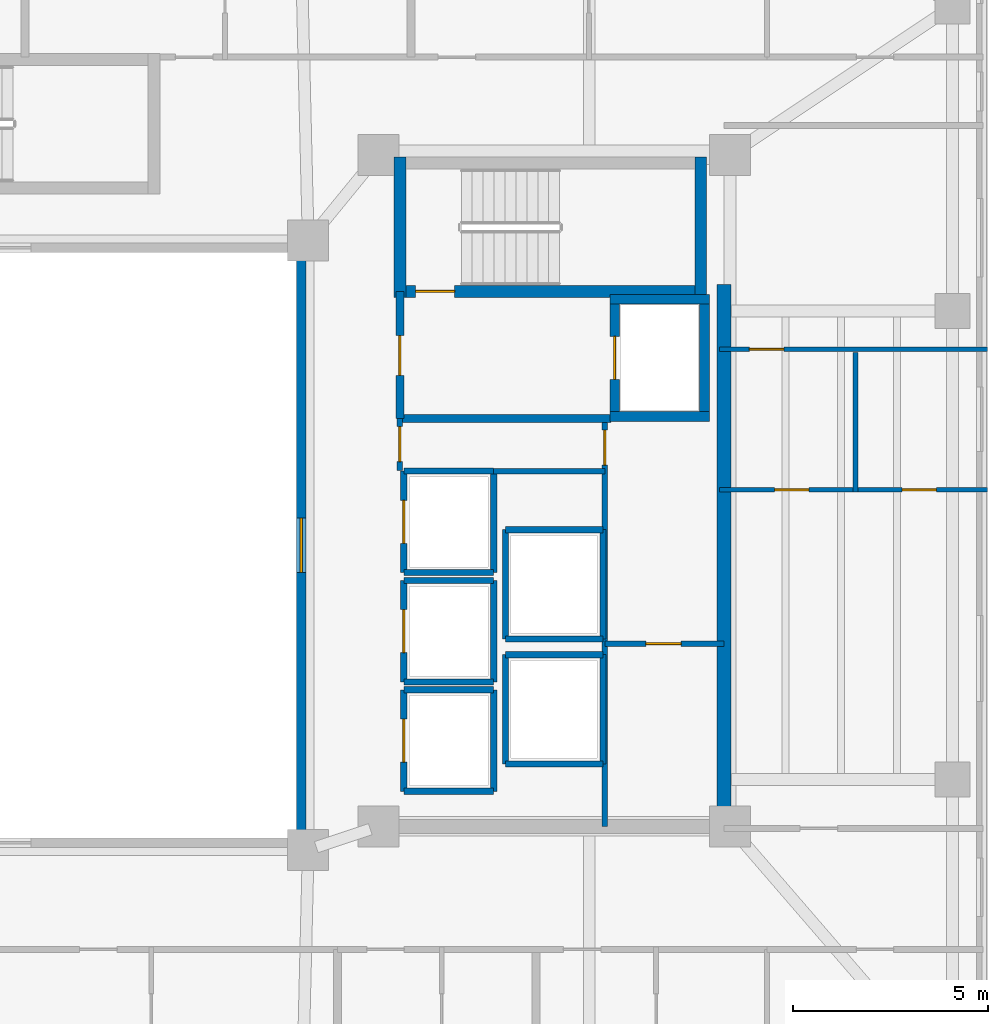
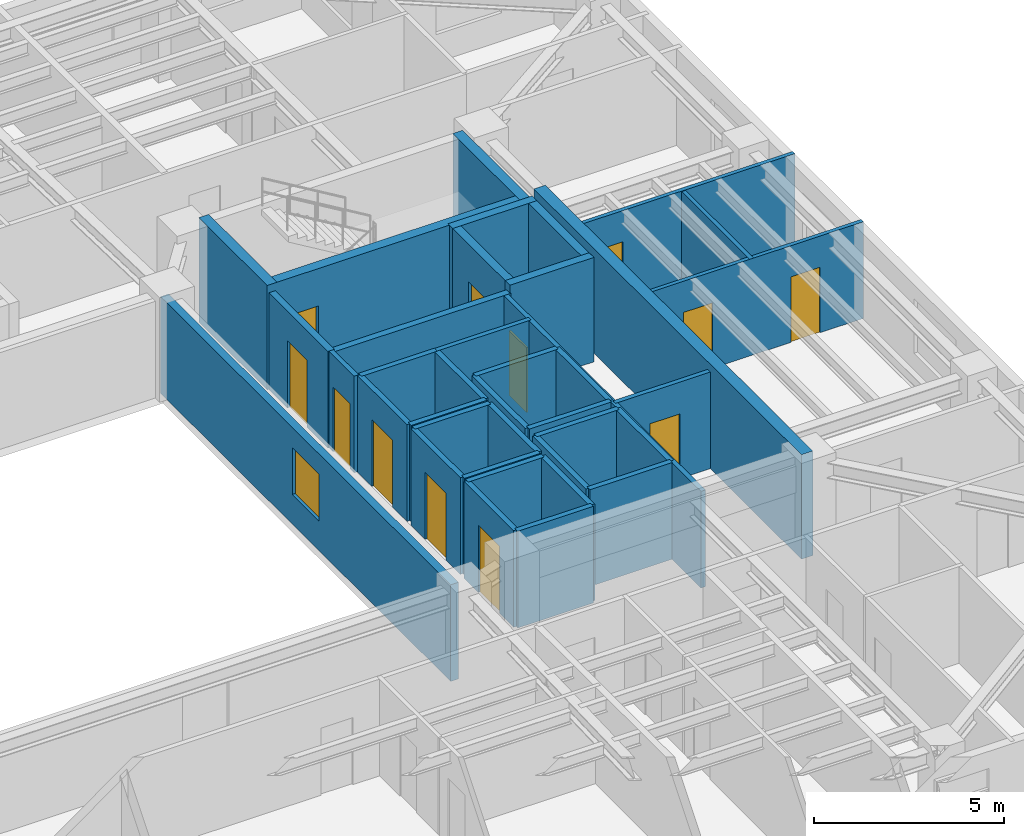
# One storey, part 9 of 16: 38 walls, 12 doors, 1 window, 13 openings.
"""IFC4 building model written with IfcOpenShell, lengths in metres."""

from ifc_helpers import new_model, si_unit, direction, frame, frame_2d, origin, place, context, subcontext, project, spatial, rectangle, extrude, material, layer, layer_set, type_object, element, fill, save


model = new_model("IFC4")

# Units and contexts
model_context = context("Model", 3, precision=1e-05, world=origin(), true_north=direction((0.0, 1.0)))
body_context = subcontext(model_context, "Body", "Model", "MODEL_VIEW")
ifc_project = project(units=[si_unit("LENGTHUNIT", "METRE"), si_unit("AREAUNIT", "SQUARE_METRE"), si_unit("VOLUMEUNIT", "CUBIC_METRE"), si_unit("PLANEANGLEUNIT", "RADIAN"), si_unit("MASSUNIT", "GRAM", prefix="KILO")], contexts=[model_context])

# Site, building, storey
site_placement = place(None, origin())
site = spatial("IfcSite", under=ifc_project, at=site_placement, CompositionType="ELEMENT")
building_placement = place(site_placement, origin())
building = spatial("IfcBuilding", under=site, at=building_placement, Name="Tarnavaz Court Tower", CompositionType="ELEMENT")
storey_placement = place(building_placement, frame((0.0, 0.0, 166.10009765625)))
storey = spatial("IfcBuildingStorey", under=building, at=storey_placement, Name="L45", CompositionType="ELEMENT", Elevation=166.10009765625)

# Wall, opening, door
ifc_material_1 = material(Name="Concrete C50/60", Category="concrete")
ifc_layer_1 = layer(ifc_material_1, 0.25)
ifc_layer_set_1 = layer_set([ifc_layer_1], Name="Concrete C50/60")
wall_type_1 = type_object("IfcWallType", Name="WL-CORE-250-C50", PredefinedType="SHEAR", material=ifc_layer_set_1)
wall_1_placement = place(storey_placement, frame((15.64990234375, 3.175048828125, 0.0), z_axis=(0.0, 0.0, 1.0), x_axis=(0.0, 1.0, 0.0)))
wall_1 = element("IfcWall", 1, at=wall_1_placement, inside=storey, type_object=wall_type_1, Name="L45 Lift FL-E1 Shaft Wall 033", PredefinedType="SHEAR", context=body_context, shape_type="SweptSolid", body=[
    extrude(rectangle(XDim=3.25, YDim=0.25, at=frame_2d((1.625, 0.0))), origin(), (0.0, 0.0, 1.0), 3.349853515625),
])
opening_1_placement = place(wall_1_placement, frame((1.074951171875, 0.0, 0.0)))
opening_1 = element("IfcOpeningElement", 2, at=opening_1_placement, cuts=wall_1, Name="Opening LD1", PredefinedType="OPENING", context=body_context, shape_type="SweptSolid", body=[
    extrude(rectangle(XDim=1.10009765625, YDim=2.14990234375, at=frame_2d((0.550048828125, 1.074951171875))), frame((0.0, 0.135009765625, 0.0), z_axis=(0.0, -1.0, 0.0), x_axis=(1.0, 0.0, 0.0)), (0.0, 0.0, 1.0), 0.27001953125),
])
ifc_material_2 = material(Name="Stainless Steel", Category="steel")
door_type_1 = type_object("IfcDoorType", Name="DR-LD-1100", OperationType="NOTDEFINED", PredefinedType="DOOR", material=ifc_material_2)
door_1_placement = place(opening_1_placement, origin())
door_1 = element("IfcDoor", 3, at=door_1_placement, inside=storey, type_object=door_type_1, Name="L45 Lift Landing Door LD-FL-E1", OperationType="SLIDING_TO_LEFT", OverallHeight=2.14990234375, OverallWidth=1.10009765625, PredefinedType="DOOR", context=body_context, shape_type="SweptSolid", body=[
    extrude(rectangle(XDim=1.10009765625, YDim=2.14990234375, at=frame_2d((0.550048828125, 1.074951171875))), frame((0.0, 0.02490234375, 0.0), z_axis=(0.0, -1.0, 0.0), x_axis=(1.0, 0.0, 0.0)), (0.0, 0.0, 1.0), 0.050048828125),
])
fill(opening_1, door_1)

# Walls
wall_2_placement = place(storey_placement, frame((17.949951171875, 3.175048828125, 0.0), z_axis=(0.0, 0.0, 1.0), x_axis=(0.0, 1.0, 0.0)))
element("IfcWall", 4, at=wall_2_placement, inside=storey, type_object=wall_type_1, Name="L45 Lift FL-E1 Shaft Wall 034", PredefinedType="SHEAR", context=body_context, shape_type="SweptSolid", body=[
    extrude(rectangle(XDim=3.25, YDim=0.25, at=frame_2d((1.625, 0.0))), origin(), (0.0, 0.0, 1.0), 3.349853515625),
])
for number, where, z_axis, x_axis, name in (
    (5, (15.52490234375, 3.300048828125, 0.0), (0.0, 0.0, 1.0), (1.0, 0.0, 0.0), "L45 Lift FL-E1 Shaft Wall 035"),
    (6, (15.52490234375, 6.300048828125, 0.0), (0.0, 0.0, 1.0), (1.0, 0.0, 0.0), "L45 Lift FL-E1 Shaft Wall 036"),
):
    element("IfcWall", number, at=place(storey_placement, frame(where, z_axis=z_axis, x_axis=x_axis)), inside=storey, type_object=wall_type_1, Name=name, PredefinedType="SHEAR", context=body_context, shape_type="SweptSolid", body=[
        extrude(rectangle(XDim=2.550048828125, YDim=0.25, at=frame_2d((1.27490234375, 0.0))), origin(), (0.0, 0.0, 1.0), 3.349853515625),
    ])

# Wall, opening, door
ifc_layer_2 = layer(ifc_material_1, 0.300048828125)
ifc_layer_set_2 = layer_set([ifc_layer_2], Name="Concrete C50/60")
wall_type_2 = type_object("IfcWallType", Name="WL-CORE-300-C50", PredefinedType="SHEAR", material=ifc_layer_set_2)
wall_3_placement = place(storey_placement, frame((10.0, 6.5, 0.0), z_axis=(0.0, 0.0, 1.0), x_axis=(1.0, 0.0, 0.0)))
wall_3 = element("IfcWall", 7, at=wall_3_placement, inside=storey, type_object=wall_type_2, Name="L45 East Stair Core Wall 006", PredefinedType="SHEAR", context=body_context, shape_type="SweptSolid", body=[
    extrude(rectangle(XDim=8.0, YDim=0.300048828125, at=frame_2d((4.0, 0.0))), origin(), (0.0, 0.0, 1.0), 3.349853515625),
])
opening_2_placement = place(wall_3_placement, frame((0.550048828125, 0.0, 0.0)))
opening_2 = element("IfcOpeningElement", 8, at=opening_2_placement, cuts=wall_3, Name="Opening D01", PredefinedType="OPENING", context=body_context, shape_type="SweptSolid", body=[
    extrude(rectangle(XDim=1.0, YDim=2.14990234375, at=frame_2d((0.5, 1.074951171875))), frame((0.0, 0.159912109375, 0.0), z_axis=(0.0, -1.0, 0.0), x_axis=(1.0, 0.0, 0.0)), (0.0, 0.0, 1.0), 0.320068359375),
])
ifc_material_3 = material(Name="Fire-Rated Hardwood Timber Core", Category="wood")
door_type_2 = type_object("IfcDoorType", Name="DR-FD90-1000", OperationType="NOTDEFINED", PredefinedType="DOOR", material=ifc_material_3)
door_2_placement = place(opening_2_placement, origin())
door_2 = element("IfcDoor", 9, at=door_2_placement, inside=storey, type_object=door_type_2, Name="L45 Stair ST-E1 Exit Door", OperationType="SINGLE_SWING_RIGHT", OverallHeight=2.14990234375, OverallWidth=1.0, PredefinedType="DOOR", context=body_context, shape_type="SweptSolid", body=[
    extrude(rectangle(XDim=1.0, YDim=2.14990234375, at=frame_2d((0.5, 1.074951171875))), frame((0.0, 0.02490234375, 0.0), z_axis=(0.0, -1.0, 0.0), x_axis=(1.0, 0.0, 0.0)), (0.0, 0.0, 1.0), 0.050048828125),
])
fill(opening_2, door_2)

# Walls
for number, where, z_axis, x_axis, name in (
    (10, (10.14990234375, 6.35009765625, 0.0), (0.0, 0.0, 1.0), (0.0, 1.0, 0.0), "L45 East Stair Core Wall 007"),
    (11, (17.85009765625, 6.35009765625, 0.0), (0.0, 0.0, 1.0), (0.0, 1.0, 0.0), "L45 East Stair Core Wall 008"),
):
    element("IfcWall", number, at=place(storey_placement, frame(where, z_axis=z_axis, x_axis=x_axis)), inside=storey, type_object=wall_type_2, Name=name, PredefinedType="SHEAR", context=body_context, shape_type="SweptSolid", body=[
        extrude(rectangle(XDim=3.58984375, YDim=0.300048828125, at=frame_2d((1.794921875, 0.0))), origin(), (0.0, 0.0, 1.0), 3.349853515625),
    ])
ifc_layer_3 = layer(ifc_material_1, 0.35009765625)
ifc_layer_set_3 = layer_set([ifc_layer_3], Name="Concrete C50/60")
wall_type_3 = type_object("IfcWallType", Name="WL-CORE-350-C50", PredefinedType="SHEAR", material=ifc_layer_set_3)
wall_4_placement = place(storey_placement, frame((18.449951171875, -7.375, 0.0), z_axis=(0.0, 0.0, 1.0), x_axis=(0.0, 1.0, 0.0)))
element("IfcWall", 12, at=wall_4_placement, inside=storey, type_object=wall_type_3, Name="L45 East Core Shear Wall 059", PredefinedType="SHEAR", context=body_context, shape_type="SweptSolid", body=[
    extrude(rectangle(XDim=14.050048828125, YDim=0.35009765625, at=frame_2d((7.02490234375, 0.0))), origin(), (0.0, 0.0, 1.0), 3.349853515625),
])
ifc_material_4 = material(Name="Autoclaved Aerated Concrete Blockwork", Category="masonry")
ifc_layer_4 = layer(ifc_material_4, 0.199951171875)
ifc_layer_set_4 = layer_set([ifc_layer_4], Name="Autoclaved Aerated Concrete Blockwork")
wall_type_4 = type_object("IfcWallType", Name="WL-FIRE-200", PredefinedType="SOLIDWALL", material=ifc_layer_set_4)
wall_5_placement = place(storey_placement, frame((10.14990234375, 3.25, 0.0), z_axis=(0.0, 0.0, 1.0), x_axis=(1.0, 0.0, 0.0)))
element("IfcWall", 13, at=wall_5_placement, inside=storey, type_object=wall_type_4, Name="L45 East Firefighting Lobby Wall 015", PredefinedType="SOLIDWALL", context=body_context, shape_type="SweptSolid", body=[
    extrude(rectangle(XDim=5.400146484375, YDim=0.199951171875, at=frame_2d((2.7001953125, 0.0))), origin(), (0.0, 0.0, 1.0), 3.099853515625),
])

# Wall, opening, door
wall_6_placement = place(storey_placement, frame((10.14990234375, 3.25, 0.0), z_axis=(0.0, 0.0, 1.0), x_axis=(0.0, 1.0, 0.0)))
wall_6 = element("IfcWall", 14, at=wall_6_placement, inside=storey, type_object=wall_type_4, Name="L45 East Firefighting Lobby Wall 016", PredefinedType="SOLIDWALL", context=body_context, shape_type="SweptSolid", body=[
    extrude(rectangle(XDim=3.25, YDim=0.199951171875, at=frame_2d((1.625, 0.0))), origin(), (0.0, 0.0, 1.0), 3.099853515625),
])
opening_3_placement = place(wall_6_placement, frame((1.10009765625, 0.0, 0.0)))
opening_3 = element("IfcOpeningElement", 15, at=opening_3_placement, cuts=wall_6, Name="Opening D05", PredefinedType="OPENING", context=body_context, shape_type="SweptSolid", body=[
    extrude(rectangle(XDim=1.02001953125, YDim=2.14990234375, at=frame_2d((0.510009765625, 1.074951171875))), frame((0.0, 0.10986328125, 0.0), z_axis=(0.0, -1.0, 0.0), x_axis=(1.0, 0.0, 0.0)), (0.0, 0.0, 1.0), 0.219970703125),
])
door_type_3 = type_object("IfcDoorType", Name="DR-FD60-1000", OperationType="NOTDEFINED", PredefinedType="DOOR", material=ifc_material_3)
door_3_placement = place(opening_3_placement, origin())
door_3 = element("IfcDoor", 16, at=door_3_placement, inside=storey, type_object=door_type_3, Name="L45 East Firefighting Lobby Door", OperationType="SINGLE_SWING_LEFT", OverallHeight=2.14990234375, OverallWidth=1.02001953125, PredefinedType="DOOR", context=body_context, shape_type="SweptSolid", body=[
    extrude(rectangle(XDim=1.02001953125, YDim=2.14990234375, at=frame_2d((0.510009765625, 1.074951171875))), frame((0.0, 0.02490234375, 0.0), z_axis=(0.0, -1.0, 0.0), x_axis=(1.0, 0.0, 0.0)), (0.0, 0.0, 1.0), 0.050048828125),
])
fill(opening_3, door_3)

# Wall, openings, doors
ifc_material_5 = material(Name="Moisture-Resistant Gypsum Board Partition", Category="masonry")
ifc_layer_5 = layer(ifc_material_5, 0.1201171875)
ifc_layer_set_5 = layer_set([ifc_layer_5], Name="Moisture-Resistant Gypsum Board Partition")
wall_type_5 = type_object("IfcWallType", Name="WL-PART-120", PredefinedType="PARTITIONING", material=ifc_layer_set_5)
wall_7_placement = place(storey_placement, frame((18.330078125, 1.419921875, 0.0), z_axis=(0.0, 0.0, 1.0), x_axis=(1.0, 0.0, 0.0)))
wall_7 = element("IfcWall", 17, at=wall_7_placement, inside=storey, type_object=wall_type_5, Name="L45 Interior Partition 129", PredefinedType="PARTITIONING", context=body_context, shape_type="SweptSolid", body=[
    extrude(rectangle(XDim=6.869873046875, YDim=0.1201171875, at=frame_2d((3.43505859375, 0.0))), origin(), (0.0, 0.0, 1.0), 3.099853515625),
])
opening_4_placement = place(wall_7_placement, frame((1.4130859375, 0.0, 0.0)))
opening_4 = element("IfcOpeningElement", 18, at=opening_4_placement, cuts=wall_7, Name="Opening D14", PredefinedType="OPENING", context=body_context, shape_type="SweptSolid", body=[
    extrude(rectangle(XDim=0.8798828125, YDim=2.10009765625, at=frame_2d((0.43994140625, 1.050048828125))), frame((0.0, 0.070068359375, 0.0), z_axis=(0.0, -1.0, 0.0), x_axis=(1.0, 0.0, 0.0)), (0.0, 0.0, 1.0), 0.14013671875),
])
opening_5_placement = place(wall_7_placement, frame((4.677978515625, 0.0, 0.0)))
opening_5 = element("IfcOpeningElement", 19, at=opening_5_placement, cuts=wall_7, Name="Opening D14", PredefinedType="OPENING", context=body_context, shape_type="SweptSolid", body=[
    extrude(rectangle(XDim=0.8798828125, YDim=2.10009765625, at=frame_2d((0.43994140625, 1.050048828125))), frame((0.0, 0.070068359375, 0.0), z_axis=(0.0, -1.0, 0.0), x_axis=(1.0, 0.0, 0.0)), (0.0, 0.0, 1.0), 0.14013671875),
])
ifc_material_6 = material(Name="Engineered Oak Timber", Category="wood")
door_type_4 = type_object("IfcDoorType", Name="DR-INT-900", OperationType="NOTDEFINED", PredefinedType="DOOR", material=ifc_material_6)
door_4_placement = place(opening_4_placement, origin())
door_4 = element("IfcDoor", 20, at=door_4_placement, inside=storey, type_object=door_type_4, Name="L45 Flat 12 Kitchen Door", OperationType="SINGLE_SWING_RIGHT", OverallHeight=2.10009765625, OverallWidth=0.8798828125, PredefinedType="DOOR", context=body_context, shape_type="SweptSolid", body=[
    extrude(rectangle(XDim=0.8798828125, YDim=2.10009765625, at=frame_2d((0.43994140625, 1.050048828125))), frame((0.0, 0.02490234375, 0.0), z_axis=(0.0, -1.0, 0.0), x_axis=(1.0, 0.0, 0.0)), (0.0, 0.0, 1.0), 0.050048828125),
])
fill(opening_4, door_4)
door_5_placement = place(opening_5_placement, origin())
door_5 = element("IfcDoor", 21, at=door_5_placement, inside=storey, type_object=door_type_4, Name="L45 Flat 12 Bathroom Door", OperationType="SINGLE_SWING_LEFT", OverallHeight=2.10009765625, OverallWidth=0.8798828125, PredefinedType="DOOR", context=body_context, shape_type="SweptSolid", body=[
    extrude(rectangle(XDim=0.8798828125, YDim=2.10009765625, at=frame_2d((0.43994140625, 1.050048828125))), frame((0.0, 0.02490234375, 0.0), z_axis=(0.0, -1.0, 0.0), x_axis=(1.0, 0.0, 0.0)), (0.0, 0.0, 1.0), 0.050048828125),
])
fill(opening_5, door_5)

# Wall, opening, door
wall_8_placement = place(storey_placement, frame((18.330078125, 5.02001953125, 0.0), z_axis=(0.0, 0.0, 1.0), x_axis=(1.0, 0.0, 0.0)))
wall_8 = element("IfcWall", 22, at=wall_8_placement, inside=storey, type_object=wall_type_5, Name="L45 Interior Partition 130", PredefinedType="PARTITIONING", context=body_context, shape_type="SweptSolid", body=[
    extrude(rectangle(XDim=6.869873046875, YDim=0.1201171875, at=frame_2d((3.43505859375, 0.0))), origin(), (0.0, 0.0, 1.0), 3.099853515625),
])
opening_6_placement = place(wall_8_placement, frame((0.77001953125, 0.0, 0.0)))
opening_6 = element("IfcOpeningElement", 23, at=opening_6_placement, cuts=wall_8, Name="Opening D14", PredefinedType="OPENING", context=body_context, shape_type="SweptSolid", body=[
    extrude(rectangle(XDim=0.8798828125, YDim=2.10009765625, at=frame_2d((0.43994140625, 1.050048828125))), frame((0.0, 0.070068359375, 0.0), z_axis=(0.0, -1.0, 0.0), x_axis=(1.0, 0.0, 0.0)), (0.0, 0.0, 1.0), 0.14013671875),
])
door_6_placement = place(opening_6_placement, origin())
door_6 = element("IfcDoor", 24, at=door_6_placement, inside=storey, type_object=door_type_4, Name="L45 Flat 12 Study Door", OperationType="SINGLE_SWING_RIGHT", OverallHeight=2.10009765625, OverallWidth=0.8798828125, PredefinedType="DOOR", context=body_context, shape_type="SweptSolid", body=[
    extrude(rectangle(XDim=0.8798828125, YDim=2.10009765625, at=frame_2d((0.43994140625, 1.050048828125))), frame((0.0, 0.02490234375, 0.0), z_axis=(0.0, -1.0, 0.0), x_axis=(1.0, 0.0, 0.0)), (0.0, 0.0, 1.0), 0.050048828125),
])
fill(opening_6, door_6)

# Walls
wall_9_placement = place(storey_placement, frame((21.81494140625, 1.360107421875, 0.0), z_axis=(0.0, 0.0, 1.0), x_axis=(0.0, 1.0, 0.0)))
element("IfcWall", 25, at=wall_9_placement, inside=storey, type_object=wall_type_5, Name="L45 Interior Partition 131", PredefinedType="PARTITIONING", context=body_context, shape_type="SweptSolid", body=[
    extrude(rectangle(XDim=3.579833984375, YDim=0.1201171875, at=frame_2d((1.7900390625, 0.0))), origin(), (0.0, 0.0, 1.0), 3.099853515625),
])
ifc_material_7 = material(Name="Gypsum Plasterboard Acoustic Partition", Category="masonry")
ifc_layer_6 = layer(ifc_material_7, 0.139892578125)
ifc_layer_set_6 = layer_set([ifc_layer_6], Name="Gypsum Plasterboard Acoustic Partition")
wall_type_6 = type_object("IfcWallType", Name="WL-PART-150", PredefinedType="PARTITIONING", material=ifc_layer_set_6)
wall_10_placement = place(storey_placement, frame((12.550048828125, 1.89990234375, 0.0), z_axis=(0.0, 0.0, 1.0), x_axis=(1.0, 0.0, 0.0)))
element("IfcWall", 26, at=wall_10_placement, inside=storey, type_object=wall_type_6, Name="L45 Interior Partition 067", PredefinedType="PARTITIONING", context=body_context, shape_type="SweptSolid", body=[
    extrude(rectangle(XDim=2.849853515625, YDim=0.139892578125, at=frame_2d((1.4248046875, 0.0))), origin(), (0.0, 0.0, 1.0), 3.099853515625),
])

# Wall, opening, door
wall_11_placement = place(storey_placement, frame((10.14990234375, 1.919921875, 0.0), z_axis=(0.0, 0.0, 1.0), x_axis=(0.0, 1.0, 0.0)))
wall_11 = element("IfcWall", 27, at=wall_11_placement, inside=storey, type_object=wall_type_6, Name="L45 Interior Partition 068", PredefinedType="PARTITIONING", context=body_context, shape_type="SweptSolid", body=[
    extrude(rectangle(XDim=1.330078125, YDim=0.139892578125, at=frame_2d((0.6650390625, 0.0))), origin(), (0.0, 0.0, 1.0), 3.099853515625),
])
opening_7_placement = place(wall_11_placement, frame((0.219970703125, 0.0, 0.0)))
opening_7 = element("IfcOpeningElement", 28, at=opening_7_placement, cuts=wall_11, Name="Opening D09", PredefinedType="OPENING", context=body_context, shape_type="SweptSolid", body=[
    extrude(rectangle(XDim=0.89990234375, YDim=2.080078125, at=frame_2d((0.449951171875, 1.0400390625))), frame((0.0, 0.079833984375, 0.0), z_axis=(0.0, -1.0, 0.0), x_axis=(1.0, 0.0, 0.0)), (0.0, 0.0, 1.0), 0.159912109375),
])
door_type_5 = type_object("IfcDoorType", Name="DR-FD30-900", OperationType="NOTDEFINED", PredefinedType="DOOR", material=ifc_material_3)
door_7_placement = place(opening_7_placement, origin())
door_7 = element("IfcDoor", 29, at=door_7_placement, inside=storey, type_object=door_type_5, Name="L45 East Core Service Lobby Door", OperationType="SINGLE_SWING_RIGHT", OverallHeight=2.080078125, OverallWidth=0.89990234375, PredefinedType="DOOR", context=body_context, shape_type="SweptSolid", body=[
    extrude(rectangle(XDim=0.89990234375, YDim=2.080078125, at=frame_2d((0.449951171875, 1.0400390625))), frame((0.0, 0.02490234375, 0.0), z_axis=(0.0, -1.0, 0.0), x_axis=(1.0, 0.0, 0.0)), (0.0, 0.0, 1.0), 0.050048828125),
])
fill(opening_7, door_7)

wall_12_placement = place(storey_placement, frame((15.39990234375, -7.199951171875, 0.0), z_axis=(0.0, 0.0, 1.0), x_axis=(0.0, 1.0, 0.0)))
wall_12 = element("IfcWall", 30, at=wall_12_placement, inside=storey, type_object=wall_type_6, Name="L45 Interior Partition 069", PredefinedType="PARTITIONING", context=body_context, shape_type="SweptSolid", body=[
    extrude(rectangle(XDim=10.449951171875, YDim=0.139892578125, at=frame_2d((5.22509765625, 0.0))), origin(), (0.0, 0.0, 1.0), 3.099853515625),
])
opening_8_placement = place(wall_12_placement, frame((9.25, 0.0, 0.0)))
opening_8 = element("IfcOpeningElement", 31, at=opening_8_placement, cuts=wall_12, Name="Opening D09", PredefinedType="OPENING", context=body_context, shape_type="SweptSolid", body=[
    extrude(rectangle(XDim=0.89990234375, YDim=2.080078125, at=frame_2d((0.449951171875, 1.0400390625))), frame((0.0, 0.079833984375, 0.0), z_axis=(0.0, -1.0, 0.0), x_axis=(1.0, 0.0, 0.0)), (0.0, 0.0, 1.0), 0.159912109375),
])
door_8_placement = place(opening_8_placement, origin())
door_8 = element("IfcDoor", 32, at=door_8_placement, inside=storey, type_object=door_type_5, Name="L45 East Wet Riser Door", OperationType="SINGLE_SWING_LEFT", OverallHeight=2.080078125, OverallWidth=0.89990234375, PredefinedType="DOOR", context=body_context, shape_type="SweptSolid", body=[
    extrude(rectangle(XDim=0.89990234375, YDim=2.080078125, at=frame_2d((0.449951171875, 1.0400390625))), frame((0.0, 0.02490234375, 0.0), z_axis=(0.0, -1.0, 0.0), x_axis=(1.0, 0.0, 0.0)), (0.0, 0.0, 1.0), 0.050048828125),
])
fill(opening_8, door_8)

wall_13_placement = place(storey_placement, frame((15.39990234375, -2.52001953125, 0.0), z_axis=(0.0, 0.0, 1.0), x_axis=(1.0, 0.0, 0.0)))
wall_13 = element("IfcWall", 33, at=wall_13_placement, inside=storey, type_object=wall_type_6, Name="L45 Interior Partition 070", PredefinedType="PARTITIONING", context=body_context, shape_type="SweptSolid", body=[
    extrude(rectangle(XDim=3.050048828125, YDim=0.139892578125, at=frame_2d((1.52490234375, 0.0))), origin(), (0.0, 0.0, 1.0), 3.099853515625),
])
opening_9_placement = place(wall_13_placement, frame((1.050048828125, 0.0, 0.0)))
opening_9 = element("IfcOpeningElement", 34, at=opening_9_placement, cuts=wall_13, Name="Opening D09", PredefinedType="OPENING", context=body_context, shape_type="SweptSolid", body=[
    extrude(rectangle(XDim=0.89990234375, YDim=2.080078125, at=frame_2d((0.449951171875, 1.0400390625))), frame((0.0, 0.079833984375, 0.0), z_axis=(0.0, -1.0, 0.0), x_axis=(1.0, 0.0, 0.0)), (0.0, 0.0, 1.0), 0.159912109375),
])
door_9_placement = place(opening_9_placement, origin())
door_9 = element("IfcDoor", 35, at=door_9_placement, inside=storey, type_object=door_type_5, Name="L45 East Electrical Plant Door", OperationType="SINGLE_SWING_RIGHT", OverallHeight=2.080078125, OverallWidth=0.89990234375, PredefinedType="DOOR", context=body_context, shape_type="SweptSolid", body=[
    extrude(rectangle(XDim=0.89990234375, YDim=2.080078125, at=frame_2d((0.449951171875, 1.0400390625))), frame((0.0, 0.02490234375, 0.0), z_axis=(0.0, -1.0, 0.0), x_axis=(1.0, 0.0, 0.0)), (0.0, 0.0, 1.0), 0.050048828125),
])
fill(opening_9, door_9)

ifc_layer_7 = layer(ifc_material_4, 0.159912109375)
ifc_layer_set_7 = layer_set([ifc_layer_7], Name="Autoclaved Aerated Concrete Blockwork")
wall_type_7 = type_object("IfcWallType", Name="WL-SHAFT-150", PredefinedType="SOLIDWALL", material=ifc_layer_set_7)
wall_14_placement = place(storey_placement, frame((10.25, -6.300048828125, 0.0), z_axis=(0.0, 0.0, 1.0), x_axis=(0.0, 1.0, 0.0)))
wall_14 = element("IfcWall", 36, at=wall_14_placement, inside=storey, type_object=wall_type_7, Name="L45 Lift PL-M1 Shaft Wall 037", PredefinedType="SOLIDWALL", context=body_context, shape_type="SweptSolid", body=[
    extrude(rectangle(XDim=2.60009765625, YDim=0.159912109375, at=frame_2d((1.300048828125, 0.0))), origin(), (0.0, 0.0, 1.0), 3.099853515625),
])
opening_10_placement = place(wall_14_placement, frame((0.75, 0.0, 0.0)))
opening_10 = element("IfcOpeningElement", 37, at=opening_10_placement, cuts=wall_14, Name="Opening LD1", PredefinedType="OPENING", context=body_context, shape_type="SweptSolid", body=[
    extrude(rectangle(XDim=1.10009765625, YDim=2.14990234375, at=frame_2d((0.550048828125, 1.074951171875))), frame((0.0, 0.08984375, 0.0), z_axis=(0.0, -1.0, 0.0), x_axis=(1.0, 0.0, 0.0)), (0.0, 0.0, 1.0), 0.179931640625),
])
door_10_placement = place(opening_10_placement, origin())
door_10 = element("IfcDoor", 38, at=door_10_placement, inside=storey, type_object=door_type_1, Name="L45 Lift Landing Door LD-PL-M1", OperationType="SLIDING_TO_LEFT", OverallHeight=2.14990234375, OverallWidth=1.10009765625, PredefinedType="DOOR", context=body_context, shape_type="SweptSolid", body=[
    extrude(rectangle(XDim=1.10009765625, YDim=2.14990234375, at=frame_2d((0.550048828125, 1.074951171875))), frame((0.0, 0.02490234375, 0.0), z_axis=(0.0, -1.0, 0.0), x_axis=(1.0, 0.0, 0.0)), (0.0, 0.0, 1.0), 0.050048828125),
])
fill(opening_10, door_10)

# Walls
wall_15_placement = place(storey_placement, frame((12.550048828125, -6.300048828125, 0.0), z_axis=(0.0, 0.0, 1.0), x_axis=(0.0, 1.0, 0.0)))
element("IfcWall", 39, at=wall_15_placement, inside=storey, type_object=wall_type_7, Name="L45 Lift PL-M1 Shaft Wall 038", PredefinedType="SOLIDWALL", context=body_context, shape_type="SweptSolid", body=[
    extrude(rectangle(XDim=2.60009765625, YDim=0.159912109375, at=frame_2d((1.300048828125, 0.0))), origin(), (0.0, 0.0, 1.0), 3.099853515625),
])
for number, where, z_axis, x_axis, name in (
    (40, (10.25, -6.300048828125, 0.0), (0.0, 0.0, 1.0), (1.0, 0.0, 0.0), "L45 Lift PL-M1 Shaft Wall 039"),
    (41, (10.25, -3.699951171875, 0.0), (0.0, 0.0, 1.0), (1.0, 0.0, 0.0), "L45 Lift PL-M1 Shaft Wall 040"),
):
    element("IfcWall", number, at=place(storey_placement, frame(where, z_axis=z_axis, x_axis=x_axis)), inside=storey, type_object=wall_type_7, Name=name, PredefinedType="SOLIDWALL", context=body_context, shape_type="SweptSolid", body=[
        extrude(rectangle(XDim=2.300048828125, YDim=0.159912109375, at=frame_2d((1.14990234375, 0.0))), origin(), (0.0, 0.0, 1.0), 3.099853515625),
    ])

# Wall, opening, door
wall_16_placement = place(storey_placement, frame((10.25, -3.5, 0.0), z_axis=(0.0, 0.0, 1.0), x_axis=(0.0, 1.0, 0.0)))
wall_16 = element("IfcWall", 42, at=wall_16_placement, inside=storey, type_object=wall_type_7, Name="L45 Lift PL-M2 Shaft Wall 041", PredefinedType="SOLIDWALL", context=body_context, shape_type="SweptSolid", body=[
    extrude(rectangle(XDim=2.60009765625, YDim=0.159912109375, at=frame_2d((1.300048828125, 0.0))), origin(), (0.0, 0.0, 1.0), 3.099853515625),
])
opening_11_placement = place(wall_16_placement, frame((0.75, 0.0, 0.0)))
opening_11 = element("IfcOpeningElement", 43, at=opening_11_placement, cuts=wall_16, Name="Opening LD1", PredefinedType="OPENING", context=body_context, shape_type="SweptSolid", body=[
    extrude(rectangle(XDim=1.10009765625, YDim=2.14990234375, at=frame_2d((0.550048828125, 1.074951171875))), frame((0.0, 0.08984375, 0.0), z_axis=(0.0, -1.0, 0.0), x_axis=(1.0, 0.0, 0.0)), (0.0, 0.0, 1.0), 0.179931640625),
])
door_11_placement = place(opening_11_placement, origin())
door_11 = element("IfcDoor", 44, at=door_11_placement, inside=storey, type_object=door_type_1, Name="L45 Lift Landing Door LD-PL-M2", OperationType="SLIDING_TO_LEFT", OverallHeight=2.14990234375, OverallWidth=1.10009765625, PredefinedType="DOOR", context=body_context, shape_type="SweptSolid", body=[
    extrude(rectangle(XDim=1.10009765625, YDim=2.14990234375, at=frame_2d((0.550048828125, 1.074951171875))), frame((0.0, 0.02490234375, 0.0), z_axis=(0.0, -1.0, 0.0), x_axis=(1.0, 0.0, 0.0)), (0.0, 0.0, 1.0), 0.050048828125),
])
fill(opening_11, door_11)

# Walls
wall_17_placement = place(storey_placement, frame((12.550048828125, -3.5, 0.0), z_axis=(0.0, 0.0, 1.0), x_axis=(0.0, 1.0, 0.0)))
element("IfcWall", 45, at=wall_17_placement, inside=storey, type_object=wall_type_7, Name="L45 Lift PL-M2 Shaft Wall 042", PredefinedType="SOLIDWALL", context=body_context, shape_type="SweptSolid", body=[
    extrude(rectangle(XDim=2.60009765625, YDim=0.159912109375, at=frame_2d((1.300048828125, 0.0))), origin(), (0.0, 0.0, 1.0), 3.099853515625),
])
for number, where, z_axis, x_axis, name in (
    (46, (10.25, -3.5, 0.0), (0.0, 0.0, 1.0), (1.0, 0.0, 0.0), "L45 Lift PL-M2 Shaft Wall 043"),
    (47, (10.25, -0.89990234375, 0.0), (0.0, 0.0, 1.0), (1.0, 0.0, 0.0), "L45 Lift PL-M2 Shaft Wall 044"),
):
    element("IfcWall", number, at=place(storey_placement, frame(where, z_axis=z_axis, x_axis=x_axis)), inside=storey, type_object=wall_type_7, Name=name, PredefinedType="SOLIDWALL", context=body_context, shape_type="SweptSolid", body=[
        extrude(rectangle(XDim=2.300048828125, YDim=0.159912109375, at=frame_2d((1.14990234375, 0.0))), origin(), (0.0, 0.0, 1.0), 3.099853515625),
    ])

# Wall, opening, door
wall_18_placement = place(storey_placement, frame((10.25, -0.699951171875, 0.0), z_axis=(0.0, 0.0, 1.0), x_axis=(0.0, 1.0, 0.0)))
wall_18 = element("IfcWall", 48, at=wall_18_placement, inside=storey, type_object=wall_type_7, Name="L45 Lift PL-M3 Shaft Wall 045", PredefinedType="SOLIDWALL", context=body_context, shape_type="SweptSolid", body=[
    extrude(rectangle(XDim=2.599853515625, YDim=0.159912109375, at=frame_2d((1.2998046875, 0.0))), origin(), (0.0, 0.0, 1.0), 3.099853515625),
])
opening_12_placement = place(wall_18_placement, frame((0.75, 0.0, 0.0)))
opening_12 = element("IfcOpeningElement", 49, at=opening_12_placement, cuts=wall_18, Name="Opening LD1", PredefinedType="OPENING", context=body_context, shape_type="SweptSolid", body=[
    extrude(rectangle(XDim=1.10009765625, YDim=2.14990234375, at=frame_2d((0.550048828125, 1.074951171875))), frame((0.0, 0.08984375, 0.0), z_axis=(0.0, -1.0, 0.0), x_axis=(1.0, 0.0, 0.0)), (0.0, 0.0, 1.0), 0.179931640625),
])
door_12_placement = place(opening_12_placement, origin())
door_12 = element("IfcDoor", 50, at=door_12_placement, inside=storey, type_object=door_type_1, Name="L45 Lift Landing Door LD-PL-M3", OperationType="SLIDING_TO_LEFT", OverallHeight=2.14990234375, OverallWidth=1.10009765625, PredefinedType="DOOR", context=body_context, shape_type="SweptSolid", body=[
    extrude(rectangle(XDim=1.10009765625, YDim=2.14990234375, at=frame_2d((0.550048828125, 1.074951171875))), frame((0.0, 0.02490234375, 0.0), z_axis=(0.0, -1.0, 0.0), x_axis=(1.0, 0.0, 0.0)), (0.0, 0.0, 1.0), 0.050048828125),
])
fill(opening_12, door_12)

# Walls
wall_19_placement = place(storey_placement, frame((12.550048828125, -0.699951171875, 0.0), z_axis=(0.0, 0.0, 1.0), x_axis=(0.0, 1.0, 0.0)))
element("IfcWall", 51, at=wall_19_placement, inside=storey, type_object=wall_type_7, Name="L45 Lift PL-M3 Shaft Wall 046", PredefinedType="SOLIDWALL", context=body_context, shape_type="SweptSolid", body=[
    extrude(rectangle(XDim=2.599853515625, YDim=0.159912109375, at=frame_2d((1.2998046875, 0.0))), origin(), (0.0, 0.0, 1.0), 3.099853515625),
])
for number, where, z_axis, x_axis, name in (
    (52, (10.25, -0.699951171875, 0.0), (0.0, 0.0, 1.0), (1.0, 0.0, 0.0), "L45 Lift PL-M3 Shaft Wall 047"),
    (53, (10.25, 1.89990234375, 0.0), (0.0, 0.0, 1.0), (1.0, 0.0, 0.0), "L45 Lift PL-M3 Shaft Wall 048"),
):
    element("IfcWall", number, at=place(storey_placement, frame(where, z_axis=z_axis, x_axis=x_axis)), inside=storey, type_object=wall_type_7, Name=name, PredefinedType="SOLIDWALL", context=body_context, shape_type="SweptSolid", body=[
        extrude(rectangle(XDim=2.300048828125, YDim=0.159912109375, at=frame_2d((1.14990234375, 0.0))), origin(), (0.0, 0.0, 1.0), 3.099853515625),
    ])
for number, where, z_axis, x_axis, name in (
    (54, (12.85009765625, -5.60009765625, 0.0), (0.0, 0.0, 1.0), (0.0, 1.0, 0.0), "L45 Lift PL-OB1 Shaft Wall 049"),
    (55, (15.35009765625, -5.60009765625, 0.0), (0.0, 0.0, 1.0), (0.0, 1.0, 0.0), "L45 Lift PL-OB1 Shaft Wall 050"),
):
    element("IfcWall", number, at=place(storey_placement, frame(where, z_axis=z_axis, x_axis=x_axis)), inside=storey, type_object=wall_type_7, Name=name, PredefinedType="SOLIDWALL", context=body_context, shape_type="SweptSolid", body=[
        extrude(rectangle(XDim=2.800048828125, YDim=0.159912109375, at=frame_2d((1.39990234375, 0.0))), origin(), (0.0, 0.0, 1.0), 3.099853515625),
    ])
for number, where, z_axis, x_axis, name in (
    (56, (12.85009765625, -5.60009765625, 0.0), (0.0, 0.0, 1.0), (1.0, 0.0, 0.0), "L45 Lift PL-OB1 Shaft Wall 051"),
    (57, (12.85009765625, -2.800048828125, 0.0), (0.0, 0.0, 1.0), (1.0, 0.0, 0.0), "L45 Lift PL-OB1 Shaft Wall 052"),
):
    element("IfcWall", number, at=place(storey_placement, frame(where, z_axis=z_axis, x_axis=x_axis)), inside=storey, type_object=wall_type_7, Name=name, PredefinedType="SOLIDWALL", context=body_context, shape_type="SweptSolid", body=[
        extrude(rectangle(XDim=2.5, YDim=0.159912109375, at=frame_2d((1.25, 0.0))), origin(), (0.0, 0.0, 1.0), 3.099853515625),
    ])
for number, where, z_axis, x_axis, name in (
    (58, (12.85009765625, -2.39990234375, 0.0), (0.0, 0.0, 1.0), (0.0, 1.0, 0.0), "L45 Lift PL-OB2 Shaft Wall 053"),
    (59, (15.35009765625, -2.39990234375, 0.0), (0.0, 0.0, 1.0), (0.0, 1.0, 0.0), "L45 Lift PL-OB2 Shaft Wall 054"),
):
    element("IfcWall", number, at=place(storey_placement, frame(where, z_axis=z_axis, x_axis=x_axis)), inside=storey, type_object=wall_type_7, Name=name, PredefinedType="SOLIDWALL", context=body_context, shape_type="SweptSolid", body=[
        extrude(rectangle(XDim=2.7998046875, YDim=0.159912109375, at=frame_2d((1.39990234375, 0.0))), origin(), (0.0, 0.0, 1.0), 3.099853515625),
    ])
for number, where, z_axis, x_axis, name in (
    (60, (12.85009765625, -2.39990234375, 0.0), (0.0, 0.0, 1.0), (1.0, 0.0, 0.0), "L45 Lift PL-OB2 Shaft Wall 055"),
    (61, (12.85009765625, 0.39990234375, 0.0), (0.0, 0.0, 1.0), (1.0, 0.0, 0.0), "L45 Lift PL-OB2 Shaft Wall 056"),
):
    element("IfcWall", number, at=place(storey_placement, frame(where, z_axis=z_axis, x_axis=x_axis)), inside=storey, type_object=wall_type_7, Name=name, PredefinedType="SOLIDWALL", context=body_context, shape_type="SweptSolid", body=[
        extrude(rectangle(XDim=2.5, YDim=0.159912109375, at=frame_2d((1.25, 0.0))), origin(), (0.0, 0.0, 1.0), 3.099853515625),
    ])

# Wall, opening, window
ifc_material_8 = material(Name="Precast Concrete C40/50", Category="concrete")
ifc_layer_8 = layer(ifc_material_8, 0.239990234375)
ifc_layer_set_8 = layer_set([ifc_layer_8], Name="Precast Concrete C40/50")
wall_type_8 = type_object("IfcWallType", Name="WL-WELL-240", PredefinedType="SOLIDWALL", material=ifc_layer_set_8)
wall_20_placement = place(storey_placement, frame((7.6201171875, -7.6201171875, 0.0), z_axis=(0.0, 0.0, 1.0), x_axis=(0.0, 1.0, 0.0)))
wall_20 = element("IfcWall", 62, at=wall_20_placement, inside=storey, type_object=wall_type_8, Name="L45 Badgir Light-Well Exterior Wall E", PredefinedType="SOLIDWALL", context=body_context, shape_type="SweptSolid", body=[
    extrude(rectangle(XDim=15.240234375, YDim=0.239990234375, at=frame_2d((7.6201171875, 0.0))), origin(), (0.0, 0.0, 1.0), 3.099853515625),
])
opening_13_placement = place(wall_20_placement, frame((6.919921875, 0.0, 0.949951171875)))
opening_13 = element("IfcOpeningElement", 63, at=opening_13_placement, cuts=wall_20, Name="Opening W13", PredefinedType="OPENING", context=body_context, shape_type="SweptSolid", body=[
    extrude(rectangle(XDim=1.39990234375, YDim=1.5, at=frame_2d((0.699951171875, 0.75))), frame((0.0, 0.1298828125, 0.0), z_axis=(0.0, -1.0, 0.0), x_axis=(1.0, 0.0, 0.0)), (0.0, 0.0, 1.0), 0.260009765625),
])
ifc_material_9 = material(Name="Double-Glazed Solar Low-E Glass", Category="glass")
window_type = type_object("IfcWindowType", Name="WN-WEL-1400", PartitioningType="SINGLE_PANEL", PredefinedType="WINDOW", material=ifc_material_9)
window_placement = place(opening_13_placement, origin())
window = element("IfcWindow", 64, at=window_placement, inside=storey, type_object=window_type, Name="L45 Courtyard Gallery Window E", OverallHeight=1.5, OverallWidth=1.39990234375, PartitioningType="SINGLE_PANEL", PredefinedType="WINDOW", context=body_context, shape_type="SweptSolid", body=[
    extrude(rectangle(XDim=1.39990234375, YDim=1.5, at=frame_2d((0.699951171875, 0.75))), frame((0.0, 0.030029296875, 0.0), z_axis=(0.0, -1.0, 0.0), x_axis=(1.0, 0.0, 0.0)), (0.0, 0.0, 1.0), 0.06005859375),
])
fill(opening_13, window)

save(model, "model.ifc")
